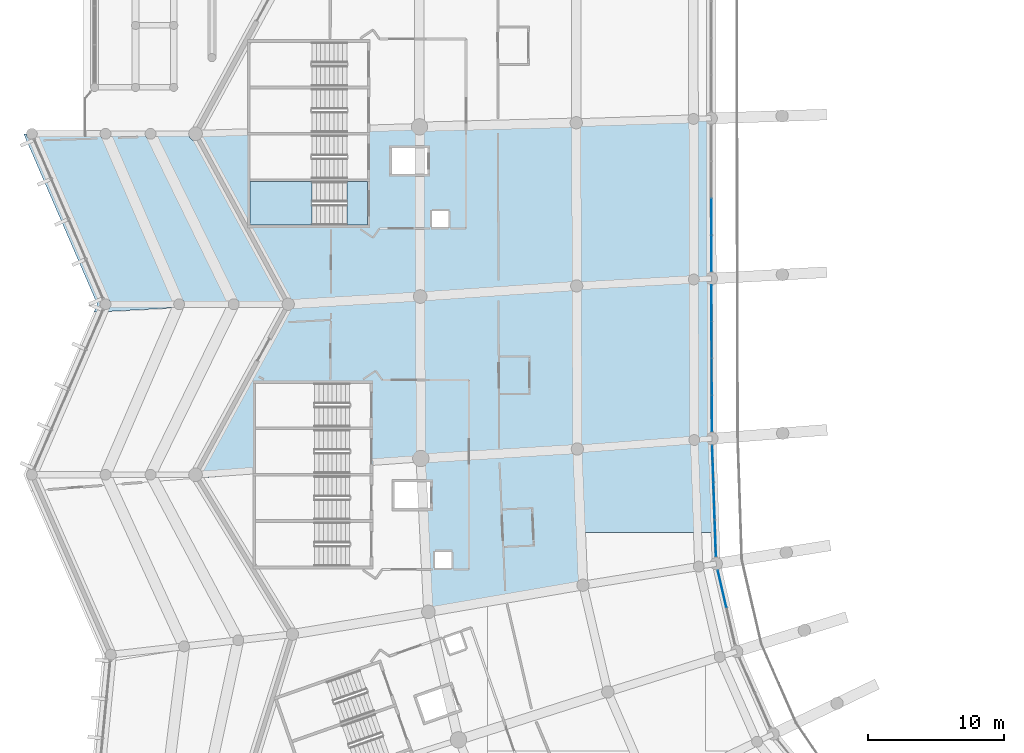
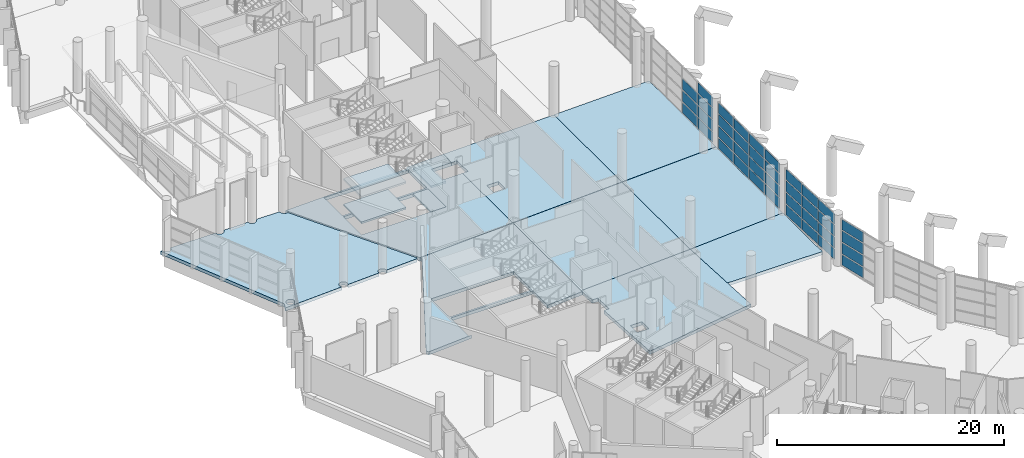
# One storey, part 122 of 271: 39 plates, 13 slabs, 5 elements without a shape of their own.
"""IFC4 building model written with IfcOpenShell, lengths in metres."""

from ifc_helpers import new_model, si_unit, direction, frame, origin, origin_2d, place, context, subcontext, project, spatial, polyline, rectangle, outline, extrude, material, layer, layer_set, type_object, element, aggregate, save


model = new_model("IFC4")

# Units and contexts
model_context = context("Model", 3, precision=1e-05, world=origin(), true_north=direction((0.0, 1.0)))
body_context = subcontext(model_context, "Body", "Model", "MODEL_VIEW")
ifc_project = project(units=[si_unit("LENGTHUNIT", "METRE"), si_unit("AREAUNIT", "SQUARE_METRE"), si_unit("VOLUMEUNIT", "CUBIC_METRE"), si_unit("PLANEANGLEUNIT", "RADIAN"), si_unit("MASSUNIT", "GRAM", prefix="KILO")], contexts=[model_context])

# Site, building, storey
site_placement = place(None, origin())
site = spatial("IfcSite", under=ifc_project, at=site_placement, CompositionType="ELEMENT")
building_placement = place(site_placement, origin())
building = spatial("IfcBuilding", under=site, at=building_placement, Name="Meseta Stadium", CompositionType="ELEMENT")
storey_placement = place(building_placement, frame((0.0, 0.0, 6.5)))
storey = spatial("IfcBuildingStorey", under=building, at=storey_placement, Name="L01", CompositionType="ELEMENT", Elevation=6.5)

# Curtain wall, plates
ifc_material_1 = material(Name="Aluminium", Category="aluminium")
ifc_layer_1 = layer(ifc_material_1, 0.199951171875)
ifc_layer_set_1 = layer_set([ifc_layer_1], Name="Club glazing curtain wall")
curtain_wall_type = type_object("IfcCurtainWallType", Name="Club glazing curtain wall", PredefinedType="NOTDEFINED", material=ifc_layer_set_1)
curtain_wall_1_placement = place(storey_placement, origin())
curtain_wall_1 = element("IfcCurtainWall", 1, at=curtain_wall_1_placement, inside=storey, type_object=curtain_wall_type, Name="Club glazing bay 34", PredefinedType="NOTDEFINED")
ifc_material_2 = material(Name="Glass", Category="glass")
ifc_layer_2 = layer(ifc_material_2, 0.028076171875)
ifc_layer_set_2 = layer_set([ifc_layer_2], Name="CW glass panel 28")
plate_type = type_object("IfcPlateType", Name="CW glass panel 28", PredefinedType="CURTAIN_PANEL", material=ifc_layer_set_2)
plate_1_placement = place(storey_placement, frame((-63.574462890625, -24.8271484375, 0.1201171875), z_axis=(0.0, 0.0, 1.0), x_axis=(0.0018452545, -0.999998297516, 0.0)))
plate_1 = element("IfcPlate", 2, at=plate_1_placement, type_object=plate_type, Name="CWC panel 3.1", PredefinedType="CURTAIN_PANEL", context=body_context, shape_type="SweptSolid", body=[
    extrude(rectangle(XDim=2.6435546875, YDim=0.028076171875, at=origin_2d()), origin(), (0.0, 0.0, 1.0), 1.107421875),
])
plate_2_placement = place(storey_placement, frame((-63.574462890625, -24.8271484375, 1.347412109375), z_axis=(0.0, 0.0, 1.0), x_axis=(0.0018452545, -0.999998297516, 0.0)))
plate_2 = element("IfcPlate", 3, at=plate_2_placement, type_object=plate_type, Name="CWC panel 3.2", PredefinedType="CURTAIN_PANEL", context=body_context, shape_type="SweptSolid", body=[
    extrude(rectangle(XDim=2.6435546875, YDim=0.028076171875, at=origin_2d()), origin(), (0.0, 0.0, 1.0), 1.16748046875),
])
plate_3_placement = place(storey_placement, frame((-63.574462890625, -24.8271484375, 2.635009765625), z_axis=(0.0, 0.0, 1.0), x_axis=(0.0018452545, -0.999998297516, 0.0)))
plate_3 = element("IfcPlate", 4, at=plate_3_placement, type_object=plate_type, Name="CWC panel 3.3", PredefinedType="CURTAIN_PANEL", context=body_context, shape_type="SweptSolid", body=[
    extrude(rectangle(XDim=2.6435546875, YDim=0.028076171875, at=origin_2d()), origin(), (0.0, 0.0, 1.0), 1.16748046875),
])
plate_4_placement = place(storey_placement, frame((-63.569580078125, -27.515869140625, 0.1201171875), z_axis=(0.0, 0.0, 1.0), x_axis=(0.0018452545, -0.999998297516, 0.0)))
plate_4 = element("IfcPlate", 5, at=plate_4_placement, type_object=plate_type, Name="CWC panel 4.1", PredefinedType="CURTAIN_PANEL", context=body_context, shape_type="SweptSolid", body=[
    extrude(rectangle(XDim=2.61376953125, YDim=0.028076171875, at=origin_2d()), origin(), (0.0, 0.0, 1.0), 1.107421875),
])
plate_5_placement = place(storey_placement, frame((-63.569580078125, -27.515869140625, 1.347412109375), z_axis=(0.0, 0.0, 1.0), x_axis=(0.0018452545, -0.999998297516, 0.0)))
plate_5 = element("IfcPlate", 6, at=plate_5_placement, type_object=plate_type, Name="CWC panel 4.2", PredefinedType="CURTAIN_PANEL", context=body_context, shape_type="SweptSolid", body=[
    extrude(rectangle(XDim=2.61376953125, YDim=0.028076171875, at=origin_2d()), origin(), (0.0, 0.0, 1.0), 1.16748046875),
])
plate_6_placement = place(storey_placement, frame((-63.569580078125, -27.515869140625, 2.635009765625), z_axis=(0.0, 0.0, 1.0), x_axis=(0.0018452545, -0.999998297516, 0.0)))
plate_6 = element("IfcPlate", 7, at=plate_6_placement, type_object=plate_type, Name="CWC panel 4.3", PredefinedType="CURTAIN_PANEL", context=body_context, shape_type="SweptSolid", body=[
    extrude(rectangle(XDim=2.61376953125, YDim=0.028076171875, at=origin_2d()), origin(), (0.0, 0.0, 1.0), 1.16748046875),
])
plate_7_placement = place(storey_placement, frame((-63.569580078125, -27.515869140625, 3.922607421875), z_axis=(0.0, 0.0, 1.0), x_axis=(0.0018452545, -0.999998297516, 0.0)))
plate_7 = element("IfcPlate", 8, at=plate_7_placement, type_object=plate_type, Name="CWC panel 4.4", PredefinedType="CURTAIN_PANEL", context=body_context, shape_type="SweptSolid", body=[
    extrude(rectangle(XDim=2.61376953125, YDim=0.028076171875, at=origin_2d()), origin(), (0.0, 0.0, 1.0), 1.107421875),
])
aggregate(curtain_wall_1, [plate_1, plate_2, plate_3, plate_4, plate_5, plate_6, plate_7])

curtain_wall_2_placement = place(storey_placement, origin())
curtain_wall_2 = element("IfcCurtainWall", 9, at=curtain_wall_2_placement, inside=storey, type_object=curtain_wall_type, Name="Club glazing bay 35", PredefinedType="NOTDEFINED")
plate_8_placement = place(storey_placement, frame((-63.56103515625, -31.1787109375, 0.1201171875), z_axis=(0.0, 0.0, 1.0), x_axis=(0.002758360998, -0.999996195715, 0.0)))
plate_8 = element("IfcPlate", 10, at=plate_8_placement, type_object=plate_type, Name="CWC panel 1.1", PredefinedType="CURTAIN_PANEL", context=body_context, shape_type="SweptSolid", body=[
    extrude(rectangle(XDim=2.613037109375, YDim=0.028076171875, at=origin_2d()), origin(), (0.0, 0.0, 1.0), 1.107421875),
])
plate_9_placement = place(storey_placement, frame((-63.56103515625, -31.1787109375, 1.347412109375), z_axis=(0.0, 0.0, 1.0), x_axis=(0.002758360998, -0.999996195715, 0.0)))
plate_9 = element("IfcPlate", 11, at=plate_9_placement, type_object=plate_type, Name="CWC panel 1.2", PredefinedType="CURTAIN_PANEL", context=body_context, shape_type="SweptSolid", body=[
    extrude(rectangle(XDim=2.613037109375, YDim=0.028076171875, at=origin_2d()), origin(), (0.0, 0.0, 1.0), 1.16748046875),
])
plate_10_placement = place(storey_placement, frame((-63.56103515625, -31.1787109375, 2.635009765625), z_axis=(0.0, 0.0, 1.0), x_axis=(0.002758360998, -0.999996195715, 0.0)))
plate_10 = element("IfcPlate", 12, at=plate_10_placement, type_object=plate_type, Name="CWC panel 1.3", PredefinedType="CURTAIN_PANEL", context=body_context, shape_type="SweptSolid", body=[
    extrude(rectangle(XDim=2.613037109375, YDim=0.028076171875, at=origin_2d()), origin(), (0.0, 0.0, 1.0), 1.16748046875),
])
plate_11_placement = place(storey_placement, frame((-63.56103515625, -31.1787109375, 3.922607421875), z_axis=(0.0, 0.0, 1.0), x_axis=(0.002758360998, -0.999996195715, 0.0)))
plate_11 = element("IfcPlate", 13, at=plate_11_placement, type_object=plate_type, Name="CWC panel 1.4", PredefinedType="CURTAIN_PANEL", context=body_context, shape_type="SweptSolid", body=[
    extrude(rectangle(XDim=2.613037109375, YDim=0.028076171875, at=origin_2d()), origin(), (0.0, 0.0, 1.0), 1.107421875),
])
plate_12_placement = place(storey_placement, frame((-63.5537109375, -33.86669921875, 0.1201171875), z_axis=(0.0, 0.0, 1.0), x_axis=(0.002758360998, -0.999996195715, 0.0)))
plate_12 = element("IfcPlate", 14, at=plate_12_placement, type_object=plate_type, Name="CWC panel 2.1", PredefinedType="CURTAIN_PANEL", context=body_context, shape_type="SweptSolid", body=[
    extrude(rectangle(XDim=2.64306640625, YDim=0.028076171875, at=origin_2d()), origin(), (0.0, 0.0, 1.0), 1.107421875),
])
plate_13_placement = place(storey_placement, frame((-63.5537109375, -33.86669921875, 1.347412109375), z_axis=(0.0, 0.0, 1.0), x_axis=(0.002758360998, -0.999996195715, 0.0)))
plate_13 = element("IfcPlate", 15, at=plate_13_placement, type_object=plate_type, Name="CWC panel 2.2", PredefinedType="CURTAIN_PANEL", context=body_context, shape_type="SweptSolid", body=[
    extrude(rectangle(XDim=2.64306640625, YDim=0.028076171875, at=origin_2d()), origin(), (0.0, 0.0, 1.0), 1.16748046875),
])
plate_14_placement = place(storey_placement, frame((-63.5537109375, -33.86669921875, 2.635009765625), z_axis=(0.0, 0.0, 1.0), x_axis=(0.002758360998, -0.999996195715, 0.0)))
plate_14 = element("IfcPlate", 16, at=plate_14_placement, type_object=plate_type, Name="CWC panel 2.3", PredefinedType="CURTAIN_PANEL", context=body_context, shape_type="SweptSolid", body=[
    extrude(rectangle(XDim=2.64306640625, YDim=0.028076171875, at=origin_2d()), origin(), (0.0, 0.0, 1.0), 1.16748046875),
])
plate_15_placement = place(storey_placement, frame((-63.5537109375, -33.86669921875, 3.922607421875), z_axis=(0.0, 0.0, 1.0), x_axis=(0.002758360998, -0.999996195715, 0.0)))
plate_15 = element("IfcPlate", 17, at=plate_15_placement, type_object=plate_type, Name="CWC panel 2.4", PredefinedType="CURTAIN_PANEL", context=body_context, shape_type="SweptSolid", body=[
    extrude(rectangle(XDim=2.64306640625, YDim=0.028076171875, at=origin_2d()), origin(), (0.0, 0.0, 1.0), 1.107421875),
])
plate_16_placement = place(storey_placement, frame((-63.546142578125, -36.56982421875, 0.1201171875), z_axis=(0.0, 0.0, 1.0), x_axis=(0.002758360998, -0.999996195715, 0.0)))
plate_16 = element("IfcPlate", 18, at=plate_16_placement, type_object=plate_type, Name="CWC panel 3.1", PredefinedType="CURTAIN_PANEL", context=body_context, shape_type="SweptSolid", body=[
    extrude(rectangle(XDim=2.64306640625, YDim=0.028076171875, at=origin_2d()), origin(), (0.0, 0.0, 1.0), 1.107421875),
])
plate_17_placement = place(storey_placement, frame((-63.546142578125, -36.56982421875, 1.347412109375), z_axis=(0.0, 0.0, 1.0), x_axis=(0.002758360998, -0.999996195715, 0.0)))
plate_17 = element("IfcPlate", 19, at=plate_17_placement, type_object=plate_type, Name="CWC panel 3.2", PredefinedType="CURTAIN_PANEL", context=body_context, shape_type="SweptSolid", body=[
    extrude(rectangle(XDim=2.64306640625, YDim=0.028076171875, at=origin_2d()), origin(), (0.0, 0.0, 1.0), 1.16748046875),
])
plate_18_placement = place(storey_placement, frame((-63.546142578125, -36.56982421875, 2.635009765625), z_axis=(0.0, 0.0, 1.0), x_axis=(0.002758360998, -0.999996195715, 0.0)))
plate_18 = element("IfcPlate", 20, at=plate_18_placement, type_object=plate_type, Name="CWC panel 3.3", PredefinedType="CURTAIN_PANEL", context=body_context, shape_type="SweptSolid", body=[
    extrude(rectangle(XDim=2.64306640625, YDim=0.028076171875, at=origin_2d()), origin(), (0.0, 0.0, 1.0), 1.16748046875),
])
plate_19_placement = place(storey_placement, frame((-63.546142578125, -36.56982421875, 3.922607421875), z_axis=(0.0, 0.0, 1.0), x_axis=(0.002758360998, -0.999996195715, 0.0)))
plate_19 = element("IfcPlate", 21, at=plate_19_placement, type_object=plate_type, Name="CWC panel 3.4", PredefinedType="CURTAIN_PANEL", context=body_context, shape_type="SweptSolid", body=[
    extrude(rectangle(XDim=2.64306640625, YDim=0.028076171875, at=origin_2d()), origin(), (0.0, 0.0, 1.0), 1.107421875),
])
plate_20_placement = place(storey_placement, frame((-63.538818359375, -39.2578125, 0.1201171875), z_axis=(0.0, 0.0, 1.0), x_axis=(0.002758360998, -0.999996195715, 0.0)))
plate_20 = element("IfcPlate", 22, at=plate_20_placement, type_object=plate_type, Name="CWC panel 4.1", PredefinedType="CURTAIN_PANEL", context=body_context, shape_type="SweptSolid", body=[
    extrude(rectangle(XDim=2.613037109375, YDim=0.028076171875, at=origin_2d()), origin(), (0.0, 0.0, 1.0), 1.107421875),
])
plate_21_placement = place(storey_placement, frame((-63.538818359375, -39.2578125, 1.347412109375), z_axis=(0.0, 0.0, 1.0), x_axis=(0.002758360998, -0.999996195715, 0.0)))
plate_21 = element("IfcPlate", 23, at=plate_21_placement, type_object=plate_type, Name="CWC panel 4.2", PredefinedType="CURTAIN_PANEL", context=body_context, shape_type="SweptSolid", body=[
    extrude(rectangle(XDim=2.613037109375, YDim=0.028076171875, at=origin_2d()), origin(), (0.0, 0.0, 1.0), 1.16748046875),
])
plate_22_placement = place(storey_placement, frame((-63.538818359375, -39.2578125, 2.635009765625), z_axis=(0.0, 0.0, 1.0), x_axis=(0.002758360998, -0.999996195715, 0.0)))
plate_22 = element("IfcPlate", 24, at=plate_22_placement, type_object=plate_type, Name="CWC panel 4.3", PredefinedType="CURTAIN_PANEL", context=body_context, shape_type="SweptSolid", body=[
    extrude(rectangle(XDim=2.613037109375, YDim=0.028076171875, at=origin_2d()), origin(), (0.0, 0.0, 1.0), 1.16748046875),
])
plate_23_placement = place(storey_placement, frame((-63.538818359375, -39.2578125, 3.922607421875), z_axis=(0.0, 0.0, 1.0), x_axis=(0.002758360998, -0.999996195715, 0.0)))
plate_23 = element("IfcPlate", 25, at=plate_23_placement, type_object=plate_type, Name="CWC panel 4.4", PredefinedType="CURTAIN_PANEL", context=body_context, shape_type="SweptSolid", body=[
    extrude(rectangle(XDim=2.613037109375, YDim=0.028076171875, at=origin_2d()), origin(), (0.0, 0.0, 1.0), 1.107421875),
])
aggregate(curtain_wall_2, [plate_8, plate_9, plate_10, plate_11, plate_12, plate_13, plate_14, plate_15, plate_16, plate_17, plate_18, plate_19, plate_20, plate_21, plate_22, plate_23])

curtain_wall_3_placement = place(storey_placement, origin())
curtain_wall_3 = element("IfcCurtainWall", 26, at=curtain_wall_3_placement, inside=storey, type_object=curtain_wall_type, Name="Club glazing bay 36", PredefinedType="NOTDEFINED")
plate_24_placement = place(storey_placement, frame((-63.470458984375, -42.941650390625, 0.1201171875), z_axis=(0.0, 0.0, 1.0), x_axis=(0.034398287063, -0.999408203812, 0.0)))
plate_24 = element("IfcPlate", 27, at=plate_24_placement, type_object=plate_type, Name="CWC panel 1.1", PredefinedType="CURTAIN_PANEL", context=body_context, shape_type="SweptSolid", body=[
    extrude(rectangle(XDim=2.6572265625, YDim=0.028076171875, at=origin_2d()), origin(), (0.0, 0.0, 1.0), 1.107421875),
])
plate_25_placement = place(storey_placement, frame((-63.470458984375, -42.941650390625, 1.347412109375), z_axis=(0.0, 0.0, 1.0), x_axis=(0.034398287063, -0.999408203812, 0.0)))
plate_25 = element("IfcPlate", 28, at=plate_25_placement, type_object=plate_type, Name="CWC panel 1.2", PredefinedType="CURTAIN_PANEL", context=body_context, shape_type="SweptSolid", body=[
    extrude(rectangle(XDim=2.6572265625, YDim=0.028076171875, at=origin_2d()), origin(), (0.0, 0.0, 1.0), 1.16748046875),
])
plate_26_placement = place(storey_placement, frame((-63.470458984375, -42.941650390625, 2.635009765625), z_axis=(0.0, 0.0, 1.0), x_axis=(0.034398287063, -0.999408203812, 0.0)))
plate_26 = element("IfcPlate", 29, at=plate_26_placement, type_object=plate_type, Name="CWC panel 1.3", PredefinedType="CURTAIN_PANEL", context=body_context, shape_type="SweptSolid", body=[
    extrude(rectangle(XDim=2.6572265625, YDim=0.028076171875, at=origin_2d()), origin(), (0.0, 0.0, 1.0), 1.16748046875),
])
plate_27_placement = place(storey_placement, frame((-63.470458984375, -42.941650390625, 3.922607421875), z_axis=(0.0, 0.0, 1.0), x_axis=(0.034398287063, -0.999408203812, 0.0)))
plate_27 = element("IfcPlate", 30, at=plate_27_placement, type_object=plate_type, Name="CWC panel 1.4", PredefinedType="CURTAIN_PANEL", context=body_context, shape_type="SweptSolid", body=[
    extrude(rectangle(XDim=2.6572265625, YDim=0.028076171875, at=origin_2d()), origin(), (0.0, 0.0, 1.0), 1.107421875),
])
plate_28_placement = place(storey_placement, frame((-63.37646484375, -45.672119140625, 0.1201171875), z_axis=(0.0, 0.0, 1.0), x_axis=(0.034398287063, -0.999408203812, 0.0)))
plate_28 = element("IfcPlate", 31, at=plate_28_placement, type_object=plate_type, Name="CWC panel 2.1", PredefinedType="CURTAIN_PANEL", context=body_context, shape_type="SweptSolid", body=[
    extrude(rectangle(XDim=2.687255859375, YDim=0.028076171875, at=origin_2d()), origin(), (0.0, 0.0, 1.0), 1.107421875),
])
plate_29_placement = place(storey_placement, frame((-63.37646484375, -45.672119140625, 1.347412109375), z_axis=(0.0, 0.0, 1.0), x_axis=(0.034398287063, -0.999408203812, 0.0)))
plate_29 = element("IfcPlate", 32, at=plate_29_placement, type_object=plate_type, Name="CWC panel 2.2", PredefinedType="CURTAIN_PANEL", context=body_context, shape_type="SweptSolid", body=[
    extrude(rectangle(XDim=2.687255859375, YDim=0.028076171875, at=origin_2d()), origin(), (0.0, 0.0, 1.0), 1.16748046875),
])
plate_30_placement = place(storey_placement, frame((-63.37646484375, -45.672119140625, 2.635009765625), z_axis=(0.0, 0.0, 1.0), x_axis=(0.034398287063, -0.999408203812, 0.0)))
plate_30 = element("IfcPlate", 33, at=plate_30_placement, type_object=plate_type, Name="CWC panel 2.3", PredefinedType="CURTAIN_PANEL", context=body_context, shape_type="SweptSolid", body=[
    extrude(rectangle(XDim=2.687255859375, YDim=0.028076171875, at=origin_2d()), origin(), (0.0, 0.0, 1.0), 1.16748046875),
])
plate_31_placement = place(storey_placement, frame((-63.37646484375, -45.672119140625, 3.922607421875), z_axis=(0.0, 0.0, 1.0), x_axis=(0.034398287063, -0.999408203812, 0.0)))
plate_31 = element("IfcPlate", 34, at=plate_31_placement, type_object=plate_type, Name="CWC panel 2.4", PredefinedType="CURTAIN_PANEL", context=body_context, shape_type="SweptSolid", body=[
    extrude(rectangle(XDim=2.687255859375, YDim=0.028076171875, at=origin_2d()), origin(), (0.0, 0.0, 1.0), 1.107421875),
])
plate_32_placement = place(storey_placement, frame((-63.282470703125, -48.40283203125, 0.1201171875), z_axis=(0.0, 0.0, 1.0), x_axis=(0.034398287063, -0.999408203812, 0.0)))
plate_32 = element("IfcPlate", 35, at=plate_32_placement, type_object=plate_type, Name="CWC panel 3.1", PredefinedType="CURTAIN_PANEL", context=body_context, shape_type="SweptSolid", body=[
    extrude(rectangle(XDim=2.6572265625, YDim=0.028076171875, at=origin_2d()), origin(), (0.0, 0.0, 1.0), 1.107421875),
])
plate_33_placement = place(storey_placement, frame((-63.282470703125, -48.40283203125, 1.347412109375), z_axis=(0.0, 0.0, 1.0), x_axis=(0.034398287063, -0.999408203812, 0.0)))
plate_33 = element("IfcPlate", 36, at=plate_33_placement, type_object=plate_type, Name="CWC panel 3.2", PredefinedType="CURTAIN_PANEL", context=body_context, shape_type="SweptSolid", body=[
    extrude(rectangle(XDim=2.6572265625, YDim=0.028076171875, at=origin_2d()), origin(), (0.0, 0.0, 1.0), 1.16748046875),
])
plate_34_placement = place(storey_placement, frame((-63.282470703125, -48.40283203125, 2.635009765625), z_axis=(0.0, 0.0, 1.0), x_axis=(0.034398287063, -0.999408203812, 0.0)))
plate_34 = element("IfcPlate", 37, at=plate_34_placement, type_object=plate_type, Name="CWC panel 3.3", PredefinedType="CURTAIN_PANEL", context=body_context, shape_type="SweptSolid", body=[
    extrude(rectangle(XDim=2.6572265625, YDim=0.028076171875, at=origin_2d()), origin(), (0.0, 0.0, 1.0), 1.16748046875),
])
plate_35_placement = place(storey_placement, frame((-63.282470703125, -48.40283203125, 3.922607421875), z_axis=(0.0, 0.0, 1.0), x_axis=(0.034398287063, -0.999408203812, 0.0)))
plate_35 = element("IfcPlate", 38, at=plate_35_placement, type_object=plate_type, Name="CWC panel 3.4", PredefinedType="CURTAIN_PANEL", context=body_context, shape_type="SweptSolid", body=[
    extrude(rectangle(XDim=2.6572265625, YDim=0.028076171875, at=origin_2d()), origin(), (0.0, 0.0, 1.0), 1.107421875),
])
aggregate(curtain_wall_3, [plate_24, plate_25, plate_26, plate_27, plate_28, plate_29, plate_30, plate_31, plate_32, plate_33, plate_34, plate_35])

curtain_wall_4_placement = place(storey_placement, origin())
curtain_wall_4 = element("IfcCurtainWall", 39, at=curtain_wall_4_placement, inside=storey, type_object=curtain_wall_type, Name="Club glazing bay 37", PredefinedType="NOTDEFINED")
plate_36_placement = place(storey_placement, frame((-62.786865234375, -52.132080078125, 0.1201171875), z_axis=(0.0, 0.0, 1.0), x_axis=(0.226048245529, -0.974116107399, 0.0)))
plate_36 = element("IfcPlate", 40, at=plate_36_placement, type_object=plate_type, Name="CWC panel 1.1", PredefinedType="CURTAIN_PANEL", context=body_context, shape_type="SweptSolid", body=[
    extrude(rectangle(XDim=2.736572265625, YDim=0.028076171875, at=origin_2d()), origin(), (0.0, 0.0, 1.0), 1.107421875),
])
plate_37_placement = place(storey_placement, frame((-62.786865234375, -52.132080078125, 1.347412109375), z_axis=(0.0, 0.0, 1.0), x_axis=(0.226048245529, -0.974116107399, 0.0)))
plate_37 = element("IfcPlate", 41, at=plate_37_placement, type_object=plate_type, Name="CWC panel 1.2", PredefinedType="CURTAIN_PANEL", context=body_context, shape_type="SweptSolid", body=[
    extrude(rectangle(XDim=2.736572265625, YDim=0.028076171875, at=origin_2d()), origin(), (0.0, 0.0, 1.0), 1.16748046875),
])
plate_38_placement = place(storey_placement, frame((-62.786865234375, -52.132080078125, 2.635009765625), z_axis=(0.0, 0.0, 1.0), x_axis=(0.226048245529, -0.974116107399, 0.0)))
plate_38 = element("IfcPlate", 42, at=plate_38_placement, type_object=plate_type, Name="CWC panel 1.3", PredefinedType="CURTAIN_PANEL", context=body_context, shape_type="SweptSolid", body=[
    extrude(rectangle(XDim=2.736572265625, YDim=0.028076171875, at=origin_2d()), origin(), (0.0, 0.0, 1.0), 1.16748046875),
])
plate_39_placement = place(storey_placement, frame((-62.786865234375, -52.132080078125, 3.922607421875), z_axis=(0.0, 0.0, 1.0), x_axis=(0.226048245529, -0.974116107399, 0.0)))
plate_39 = element("IfcPlate", 43, at=plate_39_placement, type_object=plate_type, Name="CWC panel 1.4", PredefinedType="CURTAIN_PANEL", context=body_context, shape_type="SweptSolid", body=[
    extrude(rectangle(XDim=2.736572265625, YDim=0.028076171875, at=origin_2d()), origin(), (0.0, 0.0, 1.0), 1.107421875),
])
aggregate(curtain_wall_4, [plate_36, plate_37, plate_38, plate_39])

# Slabs
ifc_material_3 = material(Name="Concrete C40/50", Category="concrete")
ifc_layer_3 = layer(ifc_material_3, 0.35009765625)
ifc_layer_set_3 = layer_set([ifc_layer_3], Name="Floor slab 350")
slab_type_1 = type_object("IfcSlabType", Name="Floor slab 350", PredefinedType="FLOOR", material=ifc_layer_set_3)
slab_1_placement = place(storey_placement, frame((0.0, 0.0, -0.35009765625)))
element("IfcSlab", 44, at=slab_1_placement, inside=storey, type_object=slab_type_1, Name="Floor slab L01 sector 28 panel 02", PredefinedType="FLOOR", context=body_context, shape_type="SweptSolid", body=[
    extrude(outline(polyline([(-94.70361328125, -31.059326171875), (-84.926025390625, -30.523193359375), (-84.9638671875, -21.699951171875), (-87.0, -21.699951171875), (-87.0, -19.800048828125), (-84.971923828125, -19.800048828125), (-84.978271484375, -18.32177734375), (-88.800048828125, -18.447509765625), (-88.800048828125, -18.64990234375), (-94.9599609375, -18.64990234375), (-101.340087890625, -18.85986328125), (-94.70361328125, -31.059326171875)]), holes=[polyline([(-97.39990234375, -22.25), (-88.800048828125, -22.25), (-88.800048828125, -25.449951171875), (-97.39990234375, -25.449951171875), (-97.39990234375, -22.25)]), polyline([(-97.39990234375, -18.85009765625), (-88.800048828125, -18.85009765625), (-88.800048828125, -22.050048828125), (-97.39990234375, -22.050048828125), (-97.39990234375, -18.85009765625)])]), origin(), (0.0, 0.0, 1.0), 0.35009765625),
])
slab_2_placement = place(storey_placement, frame((0.0, 0.0, -0.35009765625)))
element("IfcSlab", 45, at=slab_2_placement, inside=storey, type_object=slab_type_1, Name="Floor slab L01 sector 28 panel 13", PredefinedType="FLOOR", context=body_context, shape_type="SweptSolid", body=[
    extrude(outline(polyline([(-84.9638671875, -21.699951171875), (-84.926025390625, -30.523193359375), (-73.451416015625, -29.89404296875), (-73.482421875, -17.943603515625), (-84.978271484375, -18.32177734375), (-84.971923828125, -19.800048828125), (-84.39990234375, -19.800048828125), (-84.39990234375, -21.699951171875), (-84.9638671875, -21.699951171875)]), holes=[polyline([(-82.85009765625, -24.39990234375), (-82.85009765625, -25.60009765625), (-84.050048828125, -25.60009765625), (-84.050048828125, -24.39990234375), (-82.85009765625, -24.39990234375)])]), origin(), (0.0, 0.0, 1.0), 0.35009765625),
])
slab_3_placement = place(storey_placement, frame((0.0, 0.0, -0.35009765625)))
element("IfcSlab", 46, at=slab_3_placement, inside=storey, type_object=slab_type_1, Name="Floor slab L01 sector 28 panel 18", PredefinedType="FLOOR", context=body_context, shape_type="SweptSolid", body=[
    extrude(outline(polyline([(-63.587890625, -17.617919921875), (-73.482421875, -17.943603515625), (-73.451416015625, -29.89404296875), (-63.566162109375, -29.352294921875), (-63.578369140625, -23.490234375), (-63.587890625, -17.617919921875)])), origin(), (0.0, 0.0, 1.0), 0.35009765625),
])
slab_4_placement = place(storey_placement, frame((0.0, 0.0, -0.35009765625)))
element("IfcSlab", 47, at=slab_4_placement, inside=storey, type_object=slab_type_1, Name="Floor slab L01 sector 35 panel 01", PredefinedType="FLOOR", context=body_context, shape_type="SweptSolid", body=[
    extrude(outline(polyline([(-94.60009765625, -31.25), (-101.39990234375, -43.75), (-101.24853515625, -43.999267578125), (-96.697021484375, -43.64990234375), (-97.0, -43.64990234375), (-97.0, -40.449951171875), (-88.60009765625, -40.449951171875), (-88.60009765625, -43.028564453125), (-84.875, -42.74267578125), (-84.884033203125, -42.5615234375), (-84.92578125, -30.543212890625), (-94.693115234375, -31.07861328125), (-94.60009765625, -31.25)]), holes=[polyline([(-88.60009765625, -40.25), (-97.0, -40.25), (-97.0, -37.050048828125), (-88.60009765625, -37.050048828125), (-88.60009765625, -40.25)])]), origin(), (0.0, 0.0, 1.0), 0.35009765625),
])
slab_5_placement = place(storey_placement, frame((0.0, 0.0, -0.35009765625)))
element("IfcSlab", 48, at=slab_5_placement, inside=storey, type_object=slab_type_1, Name="Floor slab L01 sector 35 panel 06", PredefinedType="FLOOR", context=body_context, shape_type="SweptSolid", body=[
    extrude(outline(polyline([(-84.884033203125, -42.5615234375), (-73.40478515625, -41.8623046875), (-73.451416015625, -29.9140625), (-84.92578125, -30.543212890625), (-84.884033203125, -42.5615234375)])), origin(), (0.0, 0.0, 1.0), 0.35009765625),
])
slab_6_placement = place(storey_placement, frame((0.0, 0.0, -0.35009765625)))
element("IfcSlab", 49, at=slab_6_placement, inside=storey, type_object=slab_type_1, Name="Floor slab L01 sector 35 panel 07", PredefinedType="FLOOR", context=body_context, shape_type="SweptSolid", body=[
    extrude(outline(polyline([(-72.9921875, -51.84716796875), (-73.40478515625, -41.8623046875), (-84.884033203125, -42.5615234375), (-84.797607421875, -44.300048828125), (-84.199951171875, -44.300048828125), (-84.199951171875, -46.199951171875), (-84.703125, -46.199951171875), (-84.33154296875, -53.67333984375), (-72.9921875, -51.84716796875)]), holes=[polyline([(-82.64990234375, -50.60009765625), (-83.85009765625, -50.60009765625), (-83.85009765625, -49.39990234375), (-82.64990234375, -49.39990234375), (-82.64990234375, -50.60009765625)])]), origin(), (0.0, 0.0, 1.0), 0.35009765625),
])
slab_7_placement = place(storey_placement, frame((0.0, 0.0, -0.35009765625)))
element("IfcSlab", 50, at=slab_7_placement, inside=storey, type_object=slab_type_1, Name="Floor slab L01 sector 35 panel 12", PredefinedType="FLOOR", context=body_context, shape_type="SweptSolid", body=[
    extrude(outline(polyline([(-63.566162109375, -29.372314453125), (-73.451416015625, -29.9140625), (-73.40478515625, -41.8623046875), (-63.53369140625, -41.1044921875), (-63.559814453125, -32.0), (-63.566162109375, -29.372314453125)])), origin(), (0.0, 0.0, 1.0), 0.35009765625),
])
slab_8_placement = place(storey_placement, frame((0.0, 0.0, -0.35009765625)))
element("IfcSlab", 51, at=slab_8_placement, inside=storey, type_object=slab_type_1, Name="Floor slab L01 sector 35 panel 13", PredefinedType="FLOOR", context=body_context, shape_type="SweptSolid", body=[
    extrude(outline(polyline([(-73.40478515625, -41.8623046875), (-73.151123046875, -48.0), (-63.45361328125, -48.0), (-63.513427734375, -46.974853515625), (-63.53369140625, -41.1044921875), (-73.40478515625, -41.8623046875)])), origin(), (0.0, 0.0, 1.0), 0.35009765625),
])
slab_9_placement = place(storey_placement, frame((0.0, 0.0, -0.35009765625)))
element("IfcSlab", 52, at=slab_9_placement, inside=storey, type_object=slab_type_1, Name="Ring floor slab L01 5 part 1", PredefinedType="FLOOR", context=body_context, shape_type="SweptSolid", body=[
    extrude(outline(polyline([(-108.60009765625, -31.25), (-108.852783203125, -31.8349609375), (-102.905517578125, -31.5087890625), (-102.949462890625, -31.45166015625), (-102.98974609375, -31.3544921875), (-103.00341796875, -31.25), (-102.98974609375, -31.1455078125), (-102.949462890625, -31.04833984375), (-102.88525390625, -30.964599609375), (-102.8017578125, -30.900634765625), (-102.704345703125, -30.8603515625), (-102.60009765625, -30.846435546875), (-102.49560546875, -30.8603515625), (-102.398193359375, -30.900634765625), (-102.314697265625, -30.964599609375), (-102.25048828125, -31.04833984375), (-102.210205078125, -31.1455078125), (-102.196533203125, -31.25), (-102.210205078125, -31.3544921875), (-102.25048828125, -31.45166015625), (-102.267578125, -31.47412109375), (-98.99755859375, -31.294677734375), (-99.00341796875, -31.25), (-98.98974609375, -31.1455078125), (-98.949462890625, -31.04833984375), (-98.88525390625, -30.964599609375), (-98.8017578125, -30.900634765625), (-98.704345703125, -30.8603515625), (-98.60009765625, -30.846435546875), (-98.49560546875, -30.8603515625), (-98.398193359375, -30.900634765625), (-98.314697265625, -30.964599609375), (-98.25048828125, -31.04833984375), (-98.210205078125, -31.1455078125), (-98.196533203125, -31.25), (-98.196533203125, -31.250732421875), (-95.01513671875, -31.076416015625), (-94.9931640625, -31.023193359375), (-94.935302734375, -30.94775390625), (-101.30322265625, -19.24169921875), (-101.39990234375, -19.25439453125), (-101.530517578125, -19.237060546875), (-101.652099609375, -19.186767578125), (-101.756591796875, -19.106689453125), (-101.836669921875, -19.002197265625), (-101.88720703125, -18.880615234375), (-101.904296875, -18.75), (-104.29638671875, -18.75), (-104.310302734375, -18.8544921875), (-104.3505859375, -18.95166015625), (-104.414794921875, -19.035400390625), (-104.498291015625, -19.099365234375), (-104.595703125, -19.1396484375), (-104.699951171875, -19.153564453125), (-104.804443359375, -19.1396484375), (-104.901611328125, -19.099365234375), (-104.9853515625, -19.035400390625), (-105.04931640625, -18.95166015625), (-105.089599609375, -18.8544921875), (-105.103515625, -18.75), (-107.596435546875, -18.75), (-107.6103515625, -18.8544921875), (-107.650634765625, -18.95166015625), (-107.714599609375, -19.035400390625), (-107.79833984375, -19.099365234375), (-107.8955078125, -19.1396484375), (-108.0, -19.153564453125), (-108.1044921875, -19.1396484375), (-108.20166015625, -19.099365234375), (-108.285400390625, -19.035400390625), (-108.349365234375, -18.95166015625), (-108.3896484375, -18.8544921875), (-108.403564453125, -18.75), (-112.99658203125, -18.75), (-113.01025390625, -18.8544921875), (-113.050537109375, -18.95166015625), (-113.11474609375, -19.035400390625), (-113.1982421875, -19.099365234375), (-113.295654296875, -19.1396484375), (-113.39990234375, -19.153564453125), (-113.50439453125, -19.1396484375), (-113.601806640625, -19.099365234375), (-113.685302734375, -19.035400390625), (-113.74951171875, -18.95166015625), (-113.789794921875, -18.8544921875), (-113.803466796875, -18.75), (-114.0, -18.75), (-108.60009765625, -31.25)]), holes=[polyline([(-108.1044921875, -31.6396484375), (-108.20166015625, -31.599365234375), (-108.285400390625, -31.535400390625), (-108.349365234375, -31.45166015625), (-108.3896484375, -31.3544921875), (-108.403564453125, -31.25), (-108.3896484375, -31.1455078125), (-108.349365234375, -31.04833984375), (-108.285400390625, -30.964599609375), (-108.20166015625, -30.900634765625), (-108.1044921875, -30.8603515625), (-108.0, -30.846435546875), (-107.8955078125, -30.8603515625), (-107.79833984375, -30.900634765625), (-107.714599609375, -30.964599609375), (-107.650634765625, -31.04833984375), (-107.6103515625, -31.1455078125), (-107.596435546875, -31.25), (-107.6103515625, -31.3544921875), (-107.650634765625, -31.45166015625), (-107.714599609375, -31.535400390625), (-107.79833984375, -31.599365234375), (-107.8955078125, -31.6396484375), (-108.0, -31.653564453125), (-108.1044921875, -31.6396484375)])]), origin(), (0.0, 0.0, 1.0), 0.35009765625),
])

# Stair, slabs
ifc_material_4 = material(Name="Concrete C40/50", Category="concrete")
stair_type = type_object("IfcStairType", Name="Exit stair 4 flights 153 mm risers", PredefinedType="HALF_TURN_STAIR", material=ifc_material_4)
stair_placement = place(storey_placement, origin())
stair = element("IfcStair", 53, at=stair_placement, inside=storey, type_object=stair_type, Name="ST72 L01", PredefinedType="HALF_TURN_STAIR")
ifc_material_5 = material(Name="Concrete C40/50", Category="concrete")
ifc_layer_4 = layer(ifc_material_5, 0.199951171875)
ifc_layer_set_4 = layer_set([ifc_layer_4], Name="Stair landing 200")
slab_type_2 = type_object("IfcSlabType", Name="Stair landing 200", PredefinedType="LANDING", material=ifc_layer_set_4)
slab_10_placement = place(storey_placement, frame((0.0, 0.0, 1.175048828125)))
slab_10 = element("IfcSlab", 54, at=slab_10_placement, type_object=slab_type_2, Name="ST72 L01 landing 1", PredefinedType="LANDING", context=body_context, shape_type="SweptSolid", body=[
    extrude(outline(polyline([(-92.85009765625, -22.25), (-97.39990234375, -22.25), (-97.39990234375, -25.449951171875), (-92.85009765625, -25.449951171875), (-92.85009765625, -22.25)])), origin(), (0.0, 0.0, 1.0), 0.199951171875),
])
slab_11_placement = place(storey_placement, frame((0.0, 0.0, 2.550048828125)))
slab_11 = element("IfcSlab", 55, at=slab_11_placement, type_object=slab_type_2, Name="ST72 L01 landing 2", PredefinedType="LANDING", context=body_context, shape_type="SweptSolid", body=[
    extrude(outline(polyline([(-88.800048828125, -22.25), (-90.31005859375, -22.25), (-90.31005859375, -25.449951171875), (-88.800048828125, -25.449951171875), (-88.800048828125, -22.25)])), origin(), (0.0, 0.0, 1.0), 0.199951171875),
])
slab_12_placement = place(storey_placement, frame((0.0, 0.0, 3.925048828125)))
slab_12 = element("IfcSlab", 56, at=slab_12_placement, type_object=slab_type_2, Name="ST72 L01 landing 3", PredefinedType="LANDING", context=body_context, shape_type="SweptSolid", body=[
    extrude(outline(polyline([(-92.85009765625, -22.25), (-97.39990234375, -22.25), (-97.39990234375, -25.449951171875), (-92.85009765625, -25.449951171875), (-92.85009765625, -22.25)])), origin(), (0.0, 0.0, 1.0), 0.199951171875),
])
slab_13_placement = place(storey_placement, frame((0.0, 0.0, -0.199951171875)))
slab_13 = element("IfcSlab", 57, at=slab_13_placement, type_object=slab_type_2, Name="ST72 L01 landing 4", PredefinedType="LANDING", context=body_context, shape_type="SweptSolid", body=[
    extrude(outline(polyline([(-88.800048828125, -22.25), (-90.31005859375, -22.25), (-90.31005859375, -25.449951171875), (-88.800048828125, -25.449951171875), (-88.800048828125, -22.25)])), origin(), (0.0, 0.0, 1.0), 0.199951171875),
])
aggregate(stair, [slab_10, slab_11, slab_12, slab_13])

save(model, "model.ifc")
